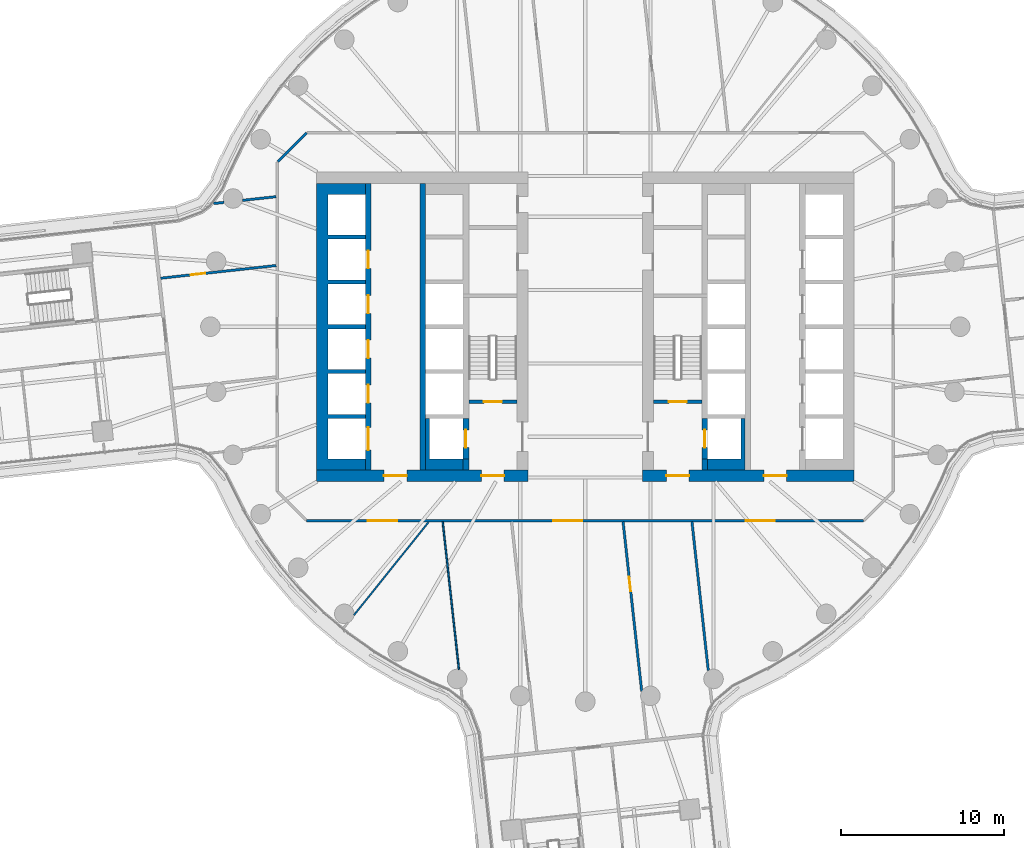
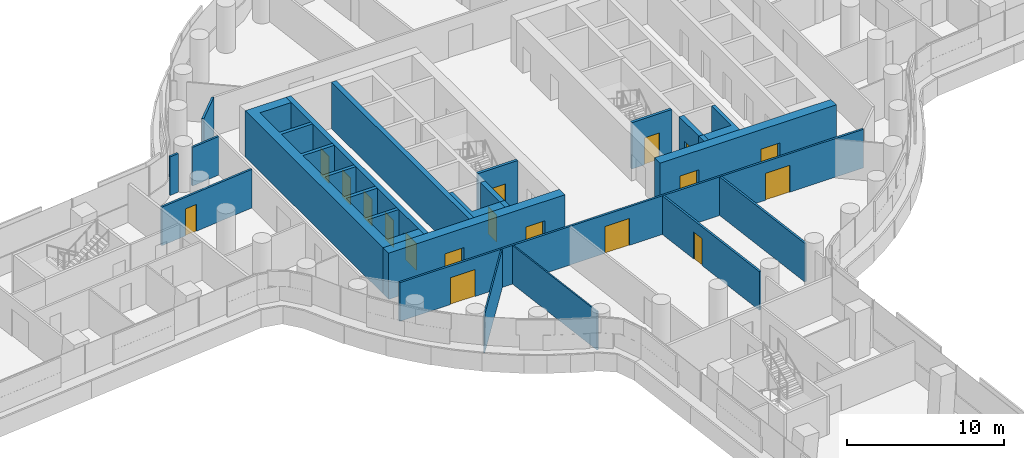
# One storey, part 20 of 31: 22 walls, 18 doors, 18 openings.
"""IFC4 building model written with IfcOpenShell, lengths in metres."""

from ifc_helpers import new_model, si_unit, direction, frame, frame_2d, origin, place, context, subcontext, project, spatial, polyline, rectangle, outline, extrude, material, layer, layer_set, type_object, element, fill, save


model = new_model("IFC4")

# Units and contexts
model_context = context("Model", 3, precision=1e-05, world=origin(), true_north=direction((0.0, 1.0)))
body_context = subcontext(model_context, "Body", "Model", "MODEL_VIEW")
ifc_project = project(units=[si_unit("LENGTHUNIT", "METRE"), si_unit("AREAUNIT", "SQUARE_METRE"), si_unit("VOLUMEUNIT", "CUBIC_METRE"), si_unit("PLANEANGLEUNIT", "RADIAN"), si_unit("MASSUNIT", "GRAM", prefix="KILO")], contexts=[model_context])

# Site, building, storey
site_placement = place(None, origin())
site = spatial("IfcSite", under=ifc_project, at=site_placement, CompositionType="ELEMENT")
building_placement = place(site_placement, origin())
building = spatial("IfcBuilding", under=site, at=building_placement, Name="Tamarind Cross Interchange Tower", CompositionType="ELEMENT")
storey_placement = place(building_placement, frame((0.0, 0.0, 56.5)))
storey = spatial("IfcBuildingStorey", under=building, at=storey_placement, Name="L12", CompositionType="ELEMENT", Elevation=56.5)

# Wall, openings, doors
ifc_material_1 = material(Name="Concrete C80", Category="concrete")
ifc_layer_1 = layer(ifc_material_1, 0.699951171875)
ifc_layer_set_1 = layer_set([ifc_layer_1], Name="Concrete C80")
wall_type_1 = type_object("IfcWallType", Name="Core wall 700 mm Concrete C80", PredefinedType="SHEAR", material=ifc_layer_set_1)
wall_1_placement = place(storey_placement, frame((-16.5, -9.14990234375, 0.0), z_axis=(0.0, 0.0, 1.0), x_axis=(1.0, 0.0, 0.0)))
wall_1 = element("IfcWall", 1, at=wall_1_placement, inside=storey, type_object=wall_type_1, Name="Core wall CWL-L12-W-S", PredefinedType="SHEAR", context=body_context, shape_type="SweptSolid", body=[
    extrude(rectangle(XDim=13.0, YDim=0.699951171875, at=frame_2d((6.5, 0.0))), origin(), (0.0, 0.0, 1.0), 3.610107421875),
])
opening_1_placement = place(wall_1_placement, frame((4.14990234375, 0.0, 0.0)))
opening_1 = element("IfcOpeningElement", 2, at=opening_1_placement, cuts=wall_1, Name="Opening DCW1", PredefinedType="OPENING", context=body_context, shape_type="SweptSolid", body=[
    extrude(rectangle(XDim=1.39990234375, YDim=2.10009765625, at=frame_2d((0.699951171875, 1.050048828125))), frame((0.0, 0.35986328125, 0.0), z_axis=(0.0, -1.0, 0.0), x_axis=(1.0, 0.0, 0.0)), (0.0, 0.0, 1.0), 0.719970703125),
])
opening_2_placement = place(wall_1_placement, frame((10.125, 0.0, 0.0)))
opening_2 = element("IfcOpeningElement", 3, at=opening_2_placement, cuts=wall_1, Name="Opening DCWF", PredefinedType="OPENING", context=body_context, shape_type="SweptSolid", body=[
    extrude(rectangle(XDim=1.39990234375, YDim=2.10009765625, at=frame_2d((0.699951171875, 1.050048828125))), frame((0.0, 0.35986328125, 0.0), z_axis=(0.0, -1.0, 0.0), x_axis=(1.0, 0.0, 0.0)), (0.0, 0.0, 1.0), 0.719970703125),
])
ifc_material_2 = material(Name="Steel, fire-resisting", Category="steel")
door_type_1 = type_object("IfcDoorType", Name="Core fire door 1400 x 2100 FD90", OperationType="SINGLE_SWING_LEFT", PredefinedType="DOOR", material=ifc_material_2)
door_1_placement = place(opening_1_placement, origin())
door_1 = element("IfcDoor", 4, at=door_1_placement, inside=storey, type_object=door_type_1, Name="L12 lift lobby door", OperationType="SINGLE_SWING_LEFT", OverallHeight=2.10009765625, OverallWidth=1.39990234375, PredefinedType="DOOR", context=body_context, shape_type="SweptSolid", body=[
    extrude(rectangle(XDim=1.39990234375, YDim=2.10009765625, at=frame_2d((0.699951171875, 1.050048828125))), frame((0.0, 0.02490234375, 0.0), z_axis=(0.0, -1.0, 0.0), x_axis=(1.0, 0.0, 0.0)), (0.0, 0.0, 1.0), 0.050048828125),
])
fill(opening_1, door_1)
door_2_placement = place(opening_2_placement, origin())
door_2 = element("IfcDoor", 5, at=door_2_placement, inside=storey, type_object=door_type_1, Name="L12 firefighting lobby end door", OperationType="SINGLE_SWING_LEFT", OverallHeight=2.10009765625, OverallWidth=1.39990234375, PredefinedType="DOOR", context=body_context, shape_type="SweptSolid", body=[
    extrude(rectangle(XDim=1.39990234375, YDim=2.10009765625, at=frame_2d((0.699951171875, 1.050048828125))), frame((0.0, 0.02490234375, 0.0), z_axis=(0.0, -1.0, 0.0), x_axis=(1.0, 0.0, 0.0)), (0.0, 0.0, 1.0), 0.050048828125),
])
fill(opening_2, door_2)

# Wall
wall_2_placement = place(storey_placement, origin())
element("IfcWall", 6, at=wall_2_placement, inside=storey, type_object=wall_type_1, Name="Core wall CWL-L12-W-A", PredefinedType="SHEAR", context=body_context, shape_type="SweptSolid", body=[
    extrude(outline(polyline([(-13.5, -8.800048828125), (-13.5, -8.125), (-15.800048828125, -8.125), (-15.800048828125, -5.625), (-13.5, -5.625), (-13.5, -5.375), (-15.800048828125, -5.375), (-15.800048828125, -2.875), (-13.5, -2.875), (-13.5, -2.625), (-15.800048828125, -2.625), (-15.800048828125, -0.125), (-13.5, -0.125), (-13.5, 0.125), (-15.800048828125, 0.125), (-15.800048828125, 2.625), (-13.5, 2.625), (-13.5, 2.875), (-15.800048828125, 2.875), (-15.800048828125, 5.375), (-13.5, 5.375), (-13.5, 5.625), (-15.800048828125, 5.625), (-15.800048828125, 8.125), (-13.5, 8.125), (-13.5, 8.800048828125), (-15.800048828125, 8.800048828125), (-16.5, 8.800048828125), (-16.5, -8.800048828125), (-15.800048828125, -8.800048828125), (-13.5, -8.800048828125)])), origin(), (0.0, 0.0, 1.0), 3.610107421875),
])

# Wall, openings, doors
wall_3_placement = place(storey_placement, frame((16.5, -9.14990234375, 0.0), z_axis=(0.0, 0.0, 1.0), x_axis=(-1.0, 0.0, 0.0)))
wall_3 = element("IfcWall", 7, at=wall_3_placement, inside=storey, type_object=wall_type_1, Name="Core wall CWL-L12-E-S", PredefinedType="SHEAR", context=body_context, shape_type="SweptSolid", body=[
    extrude(rectangle(XDim=13.0, YDim=0.699951171875, at=frame_2d((6.5, 0.0))), origin(), (0.0, 0.0, 1.0), 3.610107421875),
])
opening_3_placement = place(wall_3_placement, frame((4.14990234375, 0.0, 0.0)))
opening_3 = element("IfcOpeningElement", 8, at=opening_3_placement, cuts=wall_3, Name="Opening DCE1", PredefinedType="OPENING", context=body_context, shape_type="SweptSolid", body=[
    extrude(rectangle(XDim=1.39990234375, YDim=2.10009765625, at=frame_2d((0.699951171875, 1.050048828125))), frame((0.0, 0.35986328125, 0.0), z_axis=(0.0, -1.0, 0.0), x_axis=(1.0, 0.0, 0.0)), (0.0, 0.0, 1.0), 0.719970703125),
])
opening_4_placement = place(wall_3_placement, frame((10.125, 0.0, 0.0)))
opening_4 = element("IfcOpeningElement", 9, at=opening_4_placement, cuts=wall_3, Name="Opening DCEF", PredefinedType="OPENING", context=body_context, shape_type="SweptSolid", body=[
    extrude(rectangle(XDim=1.39990234375, YDim=2.10009765625, at=frame_2d((0.699951171875, 1.050048828125))), frame((0.0, 0.35986328125, 0.0), z_axis=(0.0, -1.0, 0.0), x_axis=(1.0, 0.0, 0.0)), (0.0, 0.0, 1.0), 0.719970703125),
])
door_3_placement = place(opening_3_placement, origin())
door_3 = element("IfcDoor", 10, at=door_3_placement, inside=storey, type_object=door_type_1, Name="L12 lift lobby door", OperationType="SINGLE_SWING_LEFT", OverallHeight=2.10009765625, OverallWidth=1.39990234375, PredefinedType="DOOR", context=body_context, shape_type="SweptSolid", body=[
    extrude(rectangle(XDim=1.39990234375, YDim=2.10009765625, at=frame_2d((0.699951171875, 1.050048828125))), frame((0.0, 0.02490234375, 0.0), z_axis=(0.0, -1.0, 0.0), x_axis=(1.0, 0.0, 0.0)), (0.0, 0.0, 1.0), 0.050048828125),
])
fill(opening_3, door_3)
door_4_placement = place(opening_4_placement, origin())
door_4 = element("IfcDoor", 11, at=door_4_placement, inside=storey, type_object=door_type_1, Name="L12 firefighting lobby end door", OperationType="SINGLE_SWING_LEFT", OverallHeight=2.10009765625, OverallWidth=1.39990234375, PredefinedType="DOOR", context=body_context, shape_type="SweptSolid", body=[
    extrude(rectangle(XDim=1.39990234375, YDim=2.10009765625, at=frame_2d((0.699951171875, 1.050048828125))), frame((0.0, 0.02490234375, 0.0), z_axis=(0.0, -1.0, 0.0), x_axis=(1.0, 0.0, 0.0)), (0.0, 0.0, 1.0), 0.050048828125),
])
fill(opening_4, door_4)

# Walls
ifc_layer_2 = layer(ifc_material_1, 0.35009765625)
ifc_layer_set_2 = layer_set([ifc_layer_2], Name="Concrete C80")
wall_type_2 = type_object("IfcWallType", Name="Core web wall 350 mm Concrete C80", PredefinedType="SHEAR", material=ifc_layer_set_2)
wall_4_placement = place(storey_placement, origin())
element("IfcWall", 12, at=wall_4_placement, inside=storey, type_object=wall_type_2, Name="Core wall CWL-L12-W-BS", PredefinedType="SHEAR", context=body_context, shape_type="SweptSolid", body=[
    extrude(outline(polyline([(-7.5, -8.125), (-9.550048828125, -8.125), (-9.550048828125, -5.625), (-9.800048828125, -5.625), (-9.800048828125, -8.125), (-9.800048828125, -8.800048828125), (-7.5, -8.800048828125), (-7.5, -8.125)])), origin(), (0.0, 0.0, 1.0), 3.610107421875),
])
wall_5_placement = place(storey_placement, frame((-7.324951171875, -8.800048828125, 0.0), z_axis=(0.0, 0.0, 1.0), x_axis=(0.0, 1.0, 0.0)))
element("IfcWall", 13, at=wall_5_placement, inside=storey, type_object=wall_type_2, Name="Core wall CWL-L12-W-BW", PredefinedType="SHEAR", context=body_context, shape_type="SweptSolid", body=[
    extrude(rectangle(XDim=0.675048828125, YDim=0.35009765625, at=frame_2d((0.33740234375, 0.0))), origin(), (0.0, 0.0, 1.0), 3.610107421875),
])

# Wall, openings, doors
wall_6_placement = place(storey_placement, frame((-13.324951171875, -8.800048828125, 0.0), z_axis=(0.0, 0.0, 1.0), x_axis=(0.0, 1.0, 0.0)))
wall_6 = element("IfcWall", 14, at=wall_6_placement, inside=storey, type_object=wall_type_2, Name="Core wall CWL-L12-W-LA", PredefinedType="SHEAR", context=body_context, shape_type="SweptSolid", body=[
    extrude(rectangle(XDim=17.60009765625, YDim=0.35009765625, at=frame_2d((8.800048828125, 0.0))), origin(), (0.0, 0.0, 1.0), 3.610107421875),
])
opening_5_placement = place(wall_6_placement, frame((1.22509765625, 0.0, 0.0)))
opening_5 = element("IfcOpeningElement", 15, at=opening_5_placement, cuts=wall_6, Name="Opening LD1L12", PredefinedType="OPENING", context=body_context, shape_type="SweptSolid", body=[
    extrude(rectangle(XDim=1.39990234375, YDim=2.10009765625, at=frame_2d((0.699951171875, 1.050048828125))), frame((0.0, 0.18505859375, 0.0), z_axis=(0.0, -1.0, 0.0), x_axis=(1.0, 0.0, 0.0)), (0.0, 0.0, 1.0), 0.3701171875),
])
opening_6_placement = place(wall_6_placement, frame((4.125, 0.0, 0.0)))
opening_6 = element("IfcOpeningElement", 16, at=opening_6_placement, cuts=wall_6, Name="Opening LD2L12", PredefinedType="OPENING", context=body_context, shape_type="SweptSolid", body=[
    extrude(rectangle(XDim=1.10009765625, YDim=2.10009765625, at=frame_2d((0.550048828125, 1.050048828125))), frame((0.0, 0.18505859375, 0.0), z_axis=(0.0, -1.0, 0.0), x_axis=(1.0, 0.0, 0.0)), (0.0, 0.0, 1.0), 0.3701171875),
])
opening_7_placement = place(wall_6_placement, frame((6.875, 0.0, 0.0)))
opening_7 = element("IfcOpeningElement", 17, at=opening_7_placement, cuts=wall_6, Name="Opening LD3L12", PredefinedType="OPENING", context=body_context, shape_type="SweptSolid", body=[
    extrude(rectangle(XDim=1.10009765625, YDim=2.10009765625, at=frame_2d((0.550048828125, 1.050048828125))), frame((0.0, 0.18505859375, 0.0), z_axis=(0.0, -1.0, 0.0), x_axis=(1.0, 0.0, 0.0)), (0.0, 0.0, 1.0), 0.3701171875),
])
opening_8_placement = place(wall_6_placement, frame((9.625, 0.0, 0.0)))
opening_8 = element("IfcOpeningElement", 18, at=opening_8_placement, cuts=wall_6, Name="Opening LD4L12", PredefinedType="OPENING", context=body_context, shape_type="SweptSolid", body=[
    extrude(rectangle(XDim=1.10009765625, YDim=2.10009765625, at=frame_2d((0.550048828125, 1.050048828125))), frame((0.0, 0.18505859375, 0.0), z_axis=(0.0, -1.0, 0.0), x_axis=(1.0, 0.0, 0.0)), (0.0, 0.0, 1.0), 0.3701171875),
])
opening_9_placement = place(wall_6_placement, frame((12.375, 0.0, 0.0)))
opening_9 = element("IfcOpeningElement", 19, at=opening_9_placement, cuts=wall_6, Name="Opening LD5L12", PredefinedType="OPENING", context=body_context, shape_type="SweptSolid", body=[
    extrude(rectangle(XDim=1.10009765625, YDim=2.10009765625, at=frame_2d((0.550048828125, 1.050048828125))), frame((0.0, 0.18505859375, 0.0), z_axis=(0.0, -1.0, 0.0), x_axis=(1.0, 0.0, 0.0)), (0.0, 0.0, 1.0), 0.3701171875),
])
ifc_material_3 = material(Name="Stainless steel panel", Category="steel")
door_type_2 = type_object("IfcDoorType", Name="Lift landing door 1100 x 2100 E 120", OperationType="SLIDING_TO_LEFT", PredefinedType="DOOR", material=ifc_material_3)
door_5_placement = place(opening_6_placement, origin())
door_5 = element("IfcDoor", 20, at=door_5_placement, inside=storey, type_object=door_type_2, Name="L12 landing door LF2", OperationType="SLIDING_TO_LEFT", OverallHeight=2.10009765625, OverallWidth=1.10009765625, PredefinedType="DOOR", context=body_context, shape_type="SweptSolid", body=[
    extrude(rectangle(XDim=1.10009765625, YDim=2.10009765625, at=frame_2d((0.550048828125, 1.050048828125))), frame((0.0, 0.02490234375, 0.0), z_axis=(0.0, -1.0, 0.0), x_axis=(1.0, 0.0, 0.0)), (0.0, 0.0, 1.0), 0.050048828125),
])
fill(opening_6, door_5)
door_6_placement = place(opening_7_placement, origin())
door_6 = element("IfcDoor", 21, at=door_6_placement, inside=storey, type_object=door_type_2, Name="L12 landing door LF3", OperationType="SLIDING_TO_LEFT", OverallHeight=2.10009765625, OverallWidth=1.10009765625, PredefinedType="DOOR", context=body_context, shape_type="SweptSolid", body=[
    extrude(rectangle(XDim=1.10009765625, YDim=2.10009765625, at=frame_2d((0.550048828125, 1.050048828125))), frame((0.0, 0.02490234375, 0.0), z_axis=(0.0, -1.0, 0.0), x_axis=(1.0, 0.0, 0.0)), (0.0, 0.0, 1.0), 0.050048828125),
])
fill(opening_7, door_6)
door_7_placement = place(opening_8_placement, origin())
door_7 = element("IfcDoor", 22, at=door_7_placement, inside=storey, type_object=door_type_2, Name="L12 landing door LF4", OperationType="SLIDING_TO_LEFT", OverallHeight=2.10009765625, OverallWidth=1.10009765625, PredefinedType="DOOR", context=body_context, shape_type="SweptSolid", body=[
    extrude(rectangle(XDim=1.10009765625, YDim=2.10009765625, at=frame_2d((0.550048828125, 1.050048828125))), frame((0.0, 0.02490234375, 0.0), z_axis=(0.0, -1.0, 0.0), x_axis=(1.0, 0.0, 0.0)), (0.0, 0.0, 1.0), 0.050048828125),
])
fill(opening_8, door_7)
door_8_placement = place(opening_9_placement, origin())
door_8 = element("IfcDoor", 23, at=door_8_placement, inside=storey, type_object=door_type_2, Name="L12 landing door LF5", OperationType="SLIDING_TO_LEFT", OverallHeight=2.10009765625, OverallWidth=1.10009765625, PredefinedType="DOOR", context=body_context, shape_type="SweptSolid", body=[
    extrude(rectangle(XDim=1.10009765625, YDim=2.10009765625, at=frame_2d((0.550048828125, 1.050048828125))), frame((0.0, 0.02490234375, 0.0), z_axis=(0.0, -1.0, 0.0), x_axis=(1.0, 0.0, 0.0)), (0.0, 0.0, 1.0), 0.050048828125),
])
fill(opening_9, door_8)
door_type_3 = type_object("IfcDoorType", Name="Lift landing door 1400 x 2100 E 120", OperationType="SLIDING_TO_LEFT", PredefinedType="DOOR", material=ifc_material_3)
door_9_placement = place(opening_5_placement, origin())
door_9 = element("IfcDoor", 24, at=door_9_placement, inside=storey, type_object=door_type_3, Name="L12 landing door LF1", OperationType="SLIDING_TO_LEFT", OverallHeight=2.10009765625, OverallWidth=1.39990234375, PredefinedType="DOOR", context=body_context, shape_type="SweptSolid", body=[
    extrude(rectangle(XDim=1.39990234375, YDim=2.10009765625, at=frame_2d((0.699951171875, 1.050048828125))), frame((0.0, 0.02490234375, 0.0), z_axis=(0.0, -1.0, 0.0), x_axis=(1.0, 0.0, 0.0)), (0.0, 0.0, 1.0), 0.050048828125),
])
fill(opening_5, door_9)

# Wall
wall_7_placement = place(storey_placement, frame((-9.97509765625, -8.800048828125, 0.0), z_axis=(0.0, 0.0, 1.0), x_axis=(0.0, 1.0, 0.0)))
element("IfcWall", 25, at=wall_7_placement, inside=storey, type_object=wall_type_2, Name="Core wall CWL-L12-W-LB", PredefinedType="SHEAR", context=body_context, shape_type="SweptSolid", body=[
    extrude(rectangle(XDim=17.60009765625, YDim=0.35009765625, at=frame_2d((8.800048828125, 0.0))), origin(), (0.0, 0.0, 1.0), 3.610107421875),
])

# Wall, opening, door
wall_8_placement = place(storey_placement, frame((-7.324951171875, -8.125, 0.0), z_axis=(0.0, 0.0, 1.0), x_axis=(0.0, 1.0, 0.0)))
wall_8 = element("IfcWall", 26, at=wall_8_placement, inside=storey, type_object=wall_type_2, Name="Core wall CWL-L12-W-FF", PredefinedType="SHEAR", context=body_context, shape_type="SweptSolid", body=[
    extrude(rectangle(XDim=2.5, YDim=0.35009765625, at=frame_2d((1.25, 0.0))), origin(), (0.0, 0.0, 1.0), 3.610107421875),
])
opening_10_placement = place(wall_8_placement, frame((0.699951171875, 0.0, 0.0)))
opening_10 = element("IfcOpeningElement", 27, at=opening_10_placement, cuts=wall_8, Name="Opening LD7L12", PredefinedType="OPENING", context=body_context, shape_type="SweptSolid", body=[
    extrude(rectangle(XDim=1.10009765625, YDim=2.10009765625, at=frame_2d((0.550048828125, 1.050048828125))), frame((0.0, 0.18505859375, 0.0), z_axis=(0.0, -1.0, 0.0), x_axis=(1.0, 0.0, 0.0)), (0.0, 0.0, 1.0), 0.3701171875),
])
door_10_placement = place(opening_10_placement, origin())
door_10 = element("IfcDoor", 28, at=door_10_placement, inside=storey, type_object=door_type_2, Name="L12 landing door LF7", OperationType="SLIDING_TO_LEFT", OverallHeight=2.10009765625, OverallWidth=1.10009765625, PredefinedType="DOOR", context=body_context, shape_type="SweptSolid", body=[
    extrude(rectangle(XDim=1.10009765625, YDim=2.10009765625, at=frame_2d((0.550048828125, 1.050048828125))), frame((0.0, 0.02490234375, 0.0), z_axis=(0.0, -1.0, 0.0), x_axis=(1.0, 0.0, 0.0)), (0.0, 0.0, 1.0), 0.050048828125),
])
fill(opening_10, door_10)

# Walls
wall_9_placement = place(storey_placement, origin())
element("IfcWall", 29, at=wall_9_placement, inside=storey, type_object=wall_type_2, Name="Core wall CWL-L12-E-BS", PredefinedType="SHEAR", context=body_context, shape_type="SweptSolid", body=[
    extrude(outline(polyline([(7.5, -8.125), (7.5, -8.800048828125), (9.800048828125, -8.800048828125), (9.800048828125, -8.125), (9.800048828125, -5.625), (9.550048828125, -5.625), (9.550048828125, -8.125), (7.5, -8.125)])), origin(), (0.0, 0.0, 1.0), 3.610107421875),
])
wall_10_placement = place(storey_placement, frame((7.324951171875, -8.800048828125, 0.0), z_axis=(0.0, 0.0, 1.0), x_axis=(0.0, 1.0, 0.0)))
element("IfcWall", 30, at=wall_10_placement, inside=storey, type_object=wall_type_2, Name="Core wall CWL-L12-E-BW", PredefinedType="SHEAR", context=body_context, shape_type="SweptSolid", body=[
    extrude(rectangle(XDim=0.675048828125, YDim=0.35009765625, at=frame_2d((0.33740234375, 0.0))), origin(), (0.0, 0.0, 1.0), 3.610107421875),
])

# Wall, opening, door
wall_11_placement = place(storey_placement, frame((7.324951171875, -8.125, 0.0), z_axis=(0.0, 0.0, 1.0), x_axis=(0.0, 1.0, 0.0)))
wall_11 = element("IfcWall", 31, at=wall_11_placement, inside=storey, type_object=wall_type_2, Name="Core wall CWL-L12-E-FF", PredefinedType="SHEAR", context=body_context, shape_type="SweptSolid", body=[
    extrude(rectangle(XDim=2.5, YDim=0.35009765625, at=frame_2d((1.25, 0.0))), origin(), (0.0, 0.0, 1.0), 3.610107421875),
])
opening_11_placement = place(wall_11_placement, frame((0.699951171875, 0.0, 0.0)))
opening_11 = element("IfcOpeningElement", 32, at=opening_11_placement, cuts=wall_11, Name="Opening LD19L12", PredefinedType="OPENING", context=body_context, shape_type="SweptSolid", body=[
    extrude(rectangle(XDim=1.10009765625, YDim=2.10009765625, at=frame_2d((0.550048828125, 1.050048828125))), frame((0.0, 0.18505859375, 0.0), z_axis=(0.0, -1.0, 0.0), x_axis=(1.0, 0.0, 0.0)), (0.0, 0.0, 1.0), 0.3701171875),
])
door_11_placement = place(opening_11_placement, origin())
door_11 = element("IfcDoor", 33, at=door_11_placement, inside=storey, type_object=door_type_2, Name="L12 landing door LF19", OperationType="SLIDING_TO_LEFT", OverallHeight=2.10009765625, OverallWidth=1.10009765625, PredefinedType="DOOR", context=body_context, shape_type="SweptSolid", body=[
    extrude(rectangle(XDim=1.10009765625, YDim=2.10009765625, at=frame_2d((0.550048828125, 1.050048828125))), frame((0.0, 0.02490234375, 0.0), z_axis=(0.0, -1.0, 0.0), x_axis=(1.0, 0.0, 0.0)), (0.0, 0.0, 1.0), 0.050048828125),
])
fill(opening_11, door_11)

# Walls
ifc_material_4 = material(Name="Gypsum board partition on steel studs", Category="steel")
ifc_layer_3 = layer(ifc_material_4, 0.10009765625)
ifc_layer_set_3 = layer_set([ifc_layer_3], Name="Gypsum board partition on steel studs")
wall_type_3 = type_object("IfcWallType", Name="Partition 100 mm EI 90", PredefinedType="PARTITIONING", material=ifc_layer_set_3)
wall_12_placement = place(storey_placement, frame((-8.747802734375, -11.964599609375, 0.0), z_axis=(0.0, 0.0, 1.0), x_axis=(0.109150907267, -0.994025190547, 0.0)))
element("IfcWall", 34, at=wall_12_placement, inside=storey, type_object=wall_type_3, Name="Partition L12-010", PredefinedType="PARTITIONING", context=body_context, shape_type="SweptSolid", body=[
    extrude(rectangle(XDim=9.12353515625, YDim=0.10009765625, at=frame_2d((4.561767578125, 0.0))), origin(), (0.0, 0.0, 1.0), 3.010009765625),
])
wall_13_placement = place(storey_placement, frame((-14.195556640625, -17.69921875, 0.0), z_axis=(0.0, 0.0, 1.0), x_axis=(0.625695219995, 0.780067619938, 0.0)))
element("IfcWall", 35, at=wall_13_placement, inside=storey, type_object=wall_type_3, Name="Partition L12-077", PredefinedType="PARTITIONING", context=body_context, shape_type="SweptSolid", body=[
    extrude(rectangle(XDim=7.319091796875, YDim=0.10009765625, at=frame_2d((3.65966796875, 0.0))), origin(), (0.0, 0.0, 1.0), 3.010009765625),
])

# Wall, opening, door
ifc_layer_4 = layer(ifc_material_4, 0.14990234375)
ifc_layer_set_4 = layer_set([ifc_layer_4], Name="Gypsum board partition on steel studs")
wall_type_4 = type_object("IfcWallType", Name="Partition 150 mm EI 120", PredefinedType="PARTITIONING", material=ifc_layer_set_4)
wall_14_placement = place(storey_placement, frame((2.318115234375, -11.964599609375, 0.0), z_axis=(0.0, 0.0, 1.0), x_axis=(0.109214814887, -0.994018170965, 0.0)))
wall_14 = element("IfcWall", 36, at=wall_14_placement, inside=storey, type_object=wall_type_4, Name="Partition L12-021", PredefinedType="PARTITIONING", context=body_context, shape_type="SweptSolid", body=[
    extrude(rectangle(XDim=10.461669921875, YDim=0.14990234375, at=frame_2d((5.23095703125, 0.0))), origin(), (0.0, 0.0, 1.0), 3.010009765625),
])
opening_12_placement = place(wall_14_placement, frame((3.385009765625, 0.0, 0.0)))
opening_12 = element("IfcOpeningElement", 37, at=opening_12_placement, cuts=wall_14, Name="Opening D12", PredefinedType="OPENING", context=body_context, shape_type="SweptSolid", body=[
    extrude(rectangle(XDim=0.89990234375, YDim=2.10009765625, at=frame_2d((0.449951171875, 1.050048828125))), frame((0.0, 0.0849609375, 0.0), z_axis=(0.0, -1.0, 0.0), x_axis=(1.0, 0.0, 0.0)), (0.0, 0.0, 1.0), 0.169921875),
])
ifc_material_5 = material(Name="Fire-resisting door set")
door_type_4 = type_object("IfcDoorType", Name="Interior door 900 x 2100 FD60S", OperationType="SINGLE_SWING_LEFT", PredefinedType="DOOR", material=ifc_material_5)
door_12_placement = place(opening_12_placement, origin())
door_12 = element("IfcDoor", 38, at=door_12_placement, inside=storey, type_object=door_type_4, Name="Door D12", OperationType="SINGLE_SWING_RIGHT", OverallHeight=2.10009765625, OverallWidth=0.89990234375, PredefinedType="DOOR", context=body_context, shape_type="SweptSolid", body=[
    extrude(rectangle(XDim=0.89990234375, YDim=2.10009765625, at=frame_2d((0.449951171875, 1.050048828125))), frame((0.0, 0.02490234375, 0.0), z_axis=(0.0, -1.0, 0.0), x_axis=(1.0, 0.0, 0.0)), (0.0, 0.0, 1.0), 0.050048828125),
])
fill(opening_12, door_12)

# Wall
wall_15_placement = place(storey_placement, frame((6.543212890625, -11.964599609375, 0.0), z_axis=(0.0, 0.0, 1.0), x_axis=(0.109218417046, -0.994017775182, 0.0)))
element("IfcWall", 39, at=wall_15_placement, inside=storey, type_object=wall_type_4, Name="Partition L12-025", PredefinedType="PARTITIONING", context=body_context, shape_type="SweptSolid", body=[
    extrude(rectangle(XDim=9.189453125, YDim=0.14990234375, at=frame_2d((4.5947265625, 0.0))), origin(), (0.0, 0.0, 1.0), 3.010009765625),
])

# Wall, openings, doors
wall_16_placement = place(storey_placement, frame((-17.10009765625, -11.89990234375, 0.0), z_axis=(0.0, 0.0, 1.0), x_axis=(1.0, 0.0, 0.0)))
wall_16 = element("IfcWall", 40, at=wall_16_placement, inside=storey, type_object=wall_type_4, Name="Partition L12-041", PredefinedType="PARTITIONING", context=body_context, shape_type="SweptSolid", body=[
    extrude(rectangle(XDim=34.1650390625, YDim=0.14990234375, at=frame_2d((17.08251953125, 0.0))), origin(), (0.0, 0.0, 1.0), 3.010009765625),
])
opening_13_placement = place(wall_16_placement, frame((15.1201171875, 0.0, 0.0)))
opening_13 = element("IfcOpeningElement", 41, at=opening_13_placement, cuts=wall_16, Name="Opening D16", PredefinedType="OPENING", context=body_context, shape_type="SweptSolid", body=[
    extrude(rectangle(XDim=1.800048828125, YDim=2.10009765625, at=frame_2d((0.89990234375, 1.050048828125))), frame((0.0, 0.0849609375, 0.0), z_axis=(0.0, -1.0, 0.0), x_axis=(1.0, 0.0, 0.0)), (0.0, 0.0, 1.0), 0.169921875),
])
opening_14_placement = place(wall_16_placement, frame((3.75, 0.0, 0.0)))
opening_14 = element("IfcOpeningElement", 42, at=opening_14_placement, cuts=wall_16, Name="Opening D17", PredefinedType="OPENING", context=body_context, shape_type="SweptSolid", body=[
    extrude(rectangle(XDim=1.800048828125, YDim=2.10009765625, at=frame_2d((0.89990234375, 1.050048828125))), frame((0.0, 0.0849609375, 0.0), z_axis=(0.0, -1.0, 0.0), x_axis=(1.0, 0.0, 0.0)), (0.0, 0.0, 1.0), 0.169921875),
])
opening_15_placement = place(wall_16_placement, frame((26.93603515625, 0.0, 0.0)))
opening_15 = element("IfcOpeningElement", 43, at=opening_15_placement, cuts=wall_16, Name="Opening D18", PredefinedType="OPENING", context=body_context, shape_type="SweptSolid", body=[
    extrude(rectangle(XDim=1.800048828125, YDim=2.10009765625, at=frame_2d((0.89990234375, 1.050048828125))), frame((0.0, 0.0849609375, 0.0), z_axis=(0.0, -1.0, 0.0), x_axis=(1.0, 0.0, 0.0)), (0.0, 0.0, 1.0), 0.169921875),
])
door_type_5 = type_object("IfcDoorType", Name="Interior door 1800 x 2100 FD60S", OperationType="DOUBLE_DOOR_SINGLE_SWING", PredefinedType="DOOR", material=ifc_material_5)
door_13_placement = place(opening_13_placement, origin())
door_13 = element("IfcDoor", 44, at=door_13_placement, inside=storey, type_object=door_type_5, Name="Door D16", OperationType="DOUBLE_DOOR_SINGLE_SWING", OverallHeight=2.10009765625, OverallWidth=1.800048828125, PredefinedType="DOOR", context=body_context, shape_type="SweptSolid", body=[
    extrude(rectangle(XDim=1.800048828125, YDim=2.10009765625, at=frame_2d((0.89990234375, 1.050048828125))), frame((0.0, 0.02490234375, 0.0), z_axis=(0.0, -1.0, 0.0), x_axis=(1.0, 0.0, 0.0)), (0.0, 0.0, 1.0), 0.050048828125),
])
fill(opening_13, door_13)
door_14_placement = place(opening_14_placement, frame((1.800048828125, 0.0, 0.0), z_axis=(0.0, 0.0, 1.0), x_axis=(-1.0, 0.0, 0.0)))
door_14 = element("IfcDoor", 45, at=door_14_placement, inside=storey, type_object=door_type_5, Name="Door D17", OperationType="DOUBLE_DOOR_SINGLE_SWING", OverallHeight=2.10009765625, OverallWidth=1.800048828125, PredefinedType="DOOR", context=body_context, shape_type="SweptSolid", body=[
    extrude(rectangle(XDim=1.800048828125, YDim=2.10009765625, at=frame_2d((0.89990234375, 1.050048828125))), frame((0.0, 0.02490234375, 0.0), z_axis=(0.0, -1.0, 0.0), x_axis=(1.0, 0.0, 0.0)), (0.0, 0.0, 1.0), 0.050048828125),
])
fill(opening_14, door_14)
door_15_placement = place(opening_15_placement, frame((1.800048828125, 0.0, 0.0), z_axis=(0.0, 0.0, 1.0), x_axis=(-1.0, 0.0, 0.0)))
door_15 = element("IfcDoor", 46, at=door_15_placement, inside=storey, type_object=door_type_5, Name="Door D18", OperationType="DOUBLE_DOOR_SINGLE_SWING", OverallHeight=2.10009765625, OverallWidth=1.800048828125, PredefinedType="DOOR", context=body_context, shape_type="SweptSolid", body=[
    extrude(rectangle(XDim=1.800048828125, YDim=2.10009765625, at=frame_2d((0.89990234375, 1.050048828125))), frame((0.0, 0.02490234375, 0.0), z_axis=(0.0, -1.0, 0.0), x_axis=(1.0, 0.0, 0.0)), (0.0, 0.0, 1.0), 0.050048828125),
])
fill(opening_15, door_15)

# Wall, opening, door
wall_17_placement = place(storey_placement, frame((-26.049560546875, 2.975830078125, 0.0), z_axis=(0.0, 0.0, 1.0), x_axis=(0.994023698867, 0.109164490982, 0.0)))
wall_17 = element("IfcWall", 47, at=wall_17_placement, inside=storey, type_object=wall_type_4, Name="Partition L12-046", PredefinedType="PARTITIONING", context=body_context, shape_type="SweptSolid", body=[
    extrude(rectangle(XDim=7.12744140625, YDim=0.14990234375, at=frame_2d((3.563720703125, 0.0))), origin(), (0.0, 0.0, 1.0), 3.010009765625),
])
opening_16_placement = place(wall_17_placement, frame((1.85009765625, 0.0, 0.0)))
opening_16 = element("IfcOpeningElement", 48, at=opening_16_placement, cuts=wall_17, Name="Opening D26", PredefinedType="OPENING", context=body_context, shape_type="SweptSolid", body=[
    extrude(rectangle(XDim=0.89990234375, YDim=2.10009765625, at=frame_2d((0.449951171875, 1.050048828125))), frame((0.0, 0.0849609375, 0.0), z_axis=(0.0, -1.0, 0.0), x_axis=(1.0, 0.0, 0.0)), (0.0, 0.0, 1.0), 0.169921875),
])
door_16_placement = place(opening_16_placement, origin())
door_16 = element("IfcDoor", 49, at=door_16_placement, inside=storey, type_object=door_type_4, Name="Door D26", OperationType="SINGLE_SWING_RIGHT", OverallHeight=2.10009765625, OverallWidth=0.89990234375, PredefinedType="DOOR", context=body_context, shape_type="SweptSolid", body=[
    extrude(rectangle(XDim=0.89990234375, YDim=2.10009765625, at=frame_2d((0.449951171875, 1.050048828125))), frame((0.0, 0.02490234375, 0.0), z_axis=(0.0, -1.0, 0.0), x_axis=(1.0, 0.0, 0.0)), (0.0, 0.0, 1.0), 0.050048828125),
])
fill(opening_16, door_16)

# Walls
wall_18_placement = place(storey_placement, frame((-22.799072265625, 7.55810546875, 0.0), z_axis=(0.0, 0.0, 1.0), x_axis=(0.994017126998, 0.10922431613, 0.0)))
element("IfcWall", 50, at=wall_18_placement, inside=storey, type_object=wall_type_4, Name="Partition L12-051", PredefinedType="PARTITIONING", context=body_context, shape_type="SweptSolid", body=[
    extrude(rectangle(XDim=0.643798828125, YDim=0.14990234375, at=frame_2d((0.32177734375, 0.0))), origin(), (0.0, 0.0, 1.0), 3.010009765625),
])
wall_19_placement = place(storey_placement, frame((-21.03369140625, 7.751708984375, 0.0), z_axis=(0.0, 0.0, 1.0), x_axis=(0.994020279747, 0.109195620111, 0.0)))
element("IfcWall", 51, at=wall_19_placement, inside=storey, type_object=wall_type_4, Name="Partition L12-052", PredefinedType="PARTITIONING", context=body_context, shape_type="SweptSolid", body=[
    extrude(rectangle(XDim=2.08154296875, YDim=0.14990234375, at=frame_2d((1.040771484375, 0.0))), origin(), (0.0, 0.0, 1.0), 3.010009765625),
])
wall_20_placement = place(storey_placement, frame((-18.87158203125, 10.12841796875, 0.0), z_axis=(0.0, 0.0, 1.0), x_axis=(0.707106781187, 0.707106781187, 0.0)))
element("IfcWall", 52, at=wall_20_placement, inside=storey, type_object=wall_type_4, Name="Partition L12-074", PredefinedType="PARTITIONING", context=body_context, shape_type="SweptSolid", body=[
    extrude(rectangle(XDim=2.50537109375, YDim=0.14990234375, at=frame_2d((1.252685546875, 0.0))), origin(), (0.0, 0.0, 1.0), 3.010009765625),
])

# Wall, opening, door
ifc_material_6 = material(Name="Concrete C40", Category="concrete")
ifc_layer_5 = layer(ifc_material_6, 0.199951171875)
ifc_layer_set_5 = layer_set([ifc_layer_5], Name="Concrete C40")
wall_type_5 = type_object("IfcWallType", Name="Stair shaft wall 200 mm Concrete C40", PredefinedType="SHEAR", material=ifc_layer_set_5)
wall_21_placement = place(storey_placement, frame((-7.14990234375, -4.60009765625, 0.0), z_axis=(0.0, 0.0, 1.0), x_axis=(1.0, 0.0, 0.0)))
wall_21 = element("IfcWall", 53, at=wall_21_placement, inside=storey, type_object=wall_type_5, Name="Core wall CWL-L12-W-SD", PredefinedType="SHEAR", context=body_context, shape_type="SweptSolid", body=[
    extrude(rectangle(XDim=2.949951171875, YDim=0.199951171875, at=frame_2d((1.47509765625, 0.0))), origin(), (0.0, 0.0, 1.0), 3.610107421875),
])
opening_17_placement = place(wall_21_placement, frame((0.925048828125, 0.0, 0.0)))
opening_17 = element("IfcOpeningElement", 54, at=opening_17_placement, cuts=wall_21, Name="Opening DCW6", PredefinedType="OPENING", context=body_context, shape_type="SweptSolid", body=[
    extrude(rectangle(XDim=1.10009765625, YDim=2.10009765625, at=frame_2d((0.550048828125, 1.050048828125))), frame((0.0, 0.10986328125, 0.0), z_axis=(0.0, -1.0, 0.0), x_axis=(1.0, 0.0, 0.0)), (0.0, 0.0, 1.0), 0.219970703125),
])
door_type_6 = type_object("IfcDoorType", Name="Core fire door 1100 x 2100 FD90", OperationType="SINGLE_SWING_LEFT", PredefinedType="DOOR", material=ifc_material_2)
door_17_placement = place(opening_17_placement, origin())
door_17 = element("IfcDoor", 55, at=door_17_placement, inside=storey, type_object=door_type_6, Name="L12 stair door", OperationType="SINGLE_SWING_LEFT", OverallHeight=2.10009765625, OverallWidth=1.10009765625, PredefinedType="DOOR", context=body_context, shape_type="SweptSolid", body=[
    extrude(rectangle(XDim=1.10009765625, YDim=2.10009765625, at=frame_2d((0.550048828125, 1.050048828125))), frame((0.0, 0.02490234375, 0.0), z_axis=(0.0, -1.0, 0.0), x_axis=(1.0, 0.0, 0.0)), (0.0, 0.0, 1.0), 0.050048828125),
])
fill(opening_17, door_17)

wall_22_placement = place(storey_placement, frame((7.14990234375, -4.60009765625, 0.0), z_axis=(0.0, 0.0, 1.0), x_axis=(-1.0, 0.0, 0.0)))
wall_22 = element("IfcWall", 56, at=wall_22_placement, inside=storey, type_object=wall_type_5, Name="Core wall CWL-L12-E-SD", PredefinedType="SHEAR", context=body_context, shape_type="SweptSolid", body=[
    extrude(rectangle(XDim=2.949951171875, YDim=0.199951171875, at=frame_2d((1.47509765625, 0.0))), origin(), (0.0, 0.0, 1.0), 3.610107421875),
])
opening_18_placement = place(wall_22_placement, frame((0.925048828125, 0.0, 0.0)))
opening_18 = element("IfcOpeningElement", 57, at=opening_18_placement, cuts=wall_22, Name="Opening DCE6", PredefinedType="OPENING", context=body_context, shape_type="SweptSolid", body=[
    extrude(rectangle(XDim=1.10009765625, YDim=2.10009765625, at=frame_2d((0.550048828125, 1.050048828125))), frame((0.0, 0.10986328125, 0.0), z_axis=(0.0, -1.0, 0.0), x_axis=(1.0, 0.0, 0.0)), (0.0, 0.0, 1.0), 0.219970703125),
])
door_18_placement = place(opening_18_placement, origin())
door_18 = element("IfcDoor", 58, at=door_18_placement, inside=storey, type_object=door_type_6, Name="L12 stair door", OperationType="SINGLE_SWING_LEFT", OverallHeight=2.10009765625, OverallWidth=1.10009765625, PredefinedType="DOOR", context=body_context, shape_type="SweptSolid", body=[
    extrude(rectangle(XDim=1.10009765625, YDim=2.10009765625, at=frame_2d((0.550048828125, 1.050048828125))), frame((0.0, 0.02490234375, 0.0), z_axis=(0.0, -1.0, 0.0), x_axis=(1.0, 0.0, 0.0)), (0.0, 0.0, 1.0), 0.050048828125),
])
fill(opening_18, door_18)

save(model, "model.ifc")
